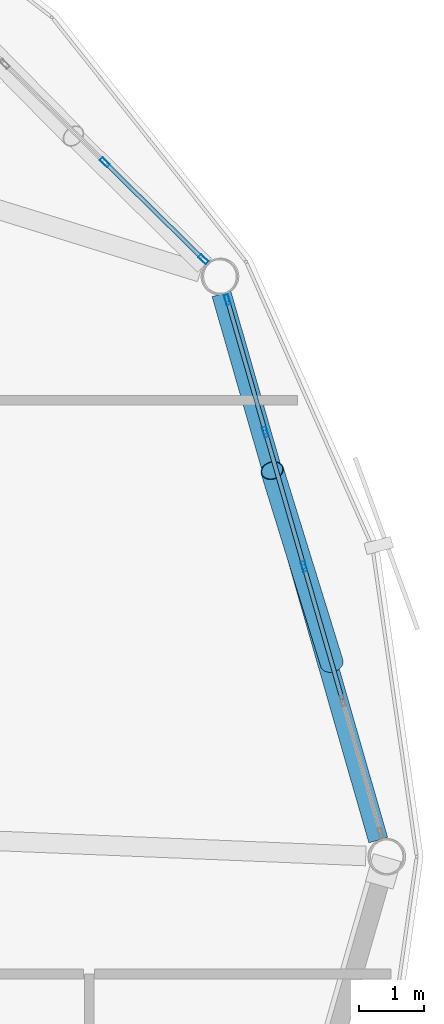
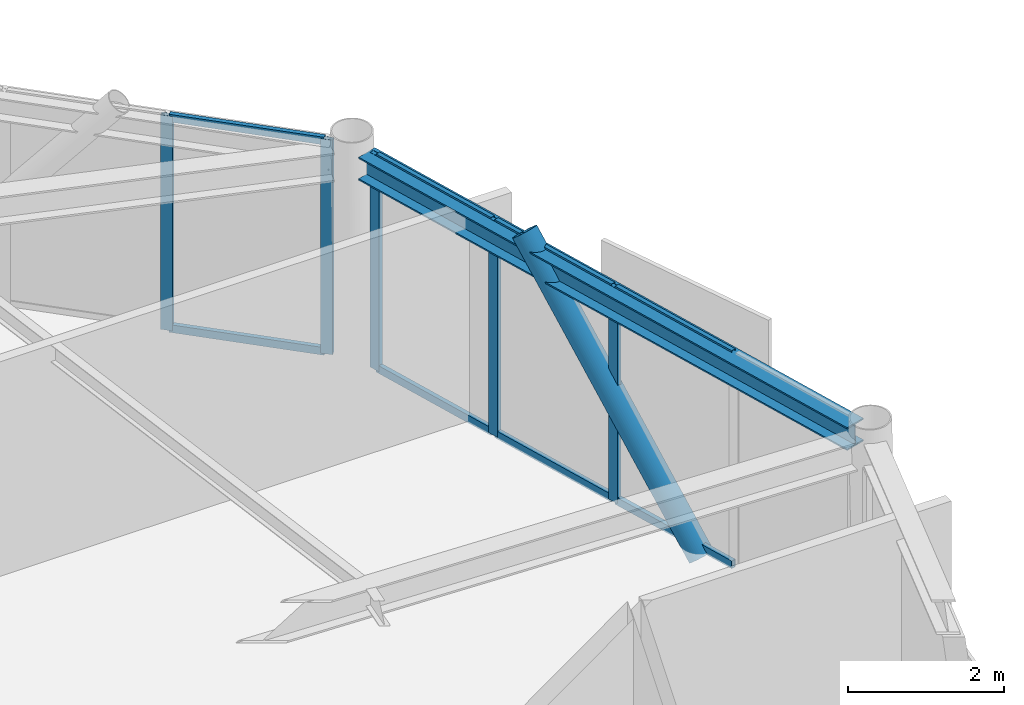
# One storey, part 17 of 27: 14 members, 1 beam, 2 elements without a shape of their own.
"""IFC4 building model written with IfcOpenShell, lengths in metres."""

from ifc_helpers import new_model, si_unit, direction, frame, origin, origin_2d, place, context, subcontext, project, spatial, hollow_rectangle, hollow_circle, i_section, extrude, material, layer, layer_set, material_profile, profile_set, type_object, element, aggregate, save


model = new_model("IFC4")

# Units and contexts
model_context = context("Model", 3, precision=1e-05, world=origin(), true_north=direction((0.0, 1.0)))
body_context = subcontext(model_context, "Body", "Model", "MODEL_VIEW")
ifc_project = project(units=[si_unit("LENGTHUNIT", "METRE"), si_unit("AREAUNIT", "SQUARE_METRE"), si_unit("VOLUMEUNIT", "CUBIC_METRE"), si_unit("PLANEANGLEUNIT", "RADIAN"), si_unit("MASSUNIT", "GRAM", prefix="KILO")], contexts=[model_context])

# Site, building, storey
site_placement = place(None, origin())
site = spatial("IfcSite", under=ifc_project, at=site_placement, CompositionType="ELEMENT")
building_placement = place(site_placement, origin())
building = spatial("IfcBuilding", under=site, at=building_placement, Name="Varnakorn Sky Granary", CompositionType="ELEMENT")
storey_placement = place(building_placement, frame((0.0, 0.0, 263.39990234375)))
storey = spatial("IfcBuildingStorey", under=building, at=storey_placement, Name="L67", CompositionType="ELEMENT", Elevation=263.39990234375)

# Beam
ifc_material_1 = material(Name="Steel S355JR", Category="steel")
ifc_material_profile_1 = material_profile(ifc_material_1, i_section(OverallWidth=0.300048828125, OverallDepth=0.360107421875, WebThickness=0.012451171875, FlangeThickness=0.0224609375, at=origin_2d()), Name="HE 360 B")
ifc_profile_set_1 = profile_set([ifc_material_profile_1], Name="Steel S355JR")
beam_type = type_object("IfcBeamType", Name="BM-SPD-Z5", PredefinedType="SPANDREL", material=ifc_profile_set_1)
beam_placement = place(storey_placement, frame((22.93310546875, 0.254150390625, 3.18017578125), z_axis=(-0.275834781425, 0.961205063114, 0.0), x_axis=(-0.961205063114, -0.275834781425, 0.0)))
element("IfcBeam", 1, at=beam_placement, inside=storey, type_object=beam_type, Name="Perimeter Spandrel Ring Beam RB01 L67", PredefinedType="SPANDREL", context=body_context, shape_type="SweptSolid", body=[
    extrude(i_section(OverallWidth=0.300048828125, OverallDepth=0.360107421875, WebThickness=0.012451171875, FlangeThickness=0.0224609375, at=origin_2d()), origin(), (0.0, 0.0, 1.0), 8.7138671875),
])

# Curtain wall, members
ifc_material_2 = material(Name="Anodised Bronze Aluminium Alloy 6063-T6", Category="aluminium")
ifc_layer = layer(ifc_material_2, 0.159912109375, Name="Anodised Bronze Aluminium Alloy 6063-T6")
ifc_layer_set = layer_set([ifc_layer], Name="Anodised Bronze Aluminium Alloy 6063-T6")
curtain_wall_type = type_object("IfcCurtainWallType", Name="CW-OFF-1", PredefinedType="USERDEFINED", material=ifc_layer_set)
curtain_wall_1_placement = place(storey_placement, origin())
curtain_wall_1 = element("IfcCurtainWall", 2, at=curtain_wall_1_placement, inside=storey, type_object=curtain_wall_type, Name="Unitised Curtain Wall CW6 CW-L67-B01", ObjectType="CURTAIN WALL", PredefinedType="USERDEFINED")
ifc_material_profile_2 = material_profile(ifc_material_2, hollow_rectangle(XDim=0.06494140625, YDim=0.159912109375, WallThickness=0.00341796875, at=origin_2d()), Name="ALU MULL 65x160")
ifc_profile_set_2 = profile_set([ifc_material_profile_2], Name="Anodised Bronze Aluminium Alloy 6063-T6")
member_type_1 = type_object("IfcMemberType", Name="CW-OFF-1-MULL", PredefinedType="MULLION", material=ifc_profile_set_2)
member_1_placement = place(storey_placement, frame((20.6181640625, 8.54345703125, 0.0), z_axis=(0.0, 0.0, 1.0), x_axis=(0.961085237133, 0.276251999026, 0.0)))
member_1 = element("IfcMember", 3, at=member_1_placement, type_object=member_type_1, Name="CW6 mullion 1", PredefinedType="MULLION", context=body_context, shape_type="SweptSolid", body=[
    extrude(hollow_rectangle(XDim=0.06494140625, YDim=0.159912109375, WallThickness=0.00341796875, at=origin_2d()), origin(), (0.0, 0.0, 1.0), 3.360107421875),
])
member_2_placement = place(storey_placement, frame((21.201904296875, 6.5126953125, 0.0), z_axis=(0.0, 0.0, 1.0), x_axis=(0.961085237133, 0.276251999026, 0.0)))
member_2 = element("IfcMember", 4, at=member_2_placement, type_object=member_type_1, Name="CW6 mullion 2", PredefinedType="MULLION", context=body_context, shape_type="SweptSolid", body=[
    extrude(hollow_rectangle(XDim=0.06494140625, YDim=0.159912109375, WallThickness=0.00341796875, at=origin_2d()), origin(), (0.0, 0.0, 1.0), 3.360107421875),
])
member_3_placement = place(storey_placement, frame((21.794677734375, 4.450439453125, 0.0), z_axis=(0.0, 0.0, 1.0), x_axis=(0.961085237133, 0.276251999026, 0.0)))
member_3 = element("IfcMember", 5, at=member_3_placement, type_object=member_type_1, Name="CW6 mullion 3", PredefinedType="MULLION", context=body_context, shape_type="SweptSolid", body=[
    extrude(hollow_rectangle(XDim=0.06494140625, YDim=0.159912109375, WallThickness=0.00341796875, at=origin_2d()), origin(), (0.0, 0.0, 1.0), 3.360107421875),
])

curtain_wall_2_placement = place(storey_placement, origin())
curtain_wall_2 = element("IfcCurtainWall", 6, at=curtain_wall_2_placement, inside=storey, type_object=curtain_wall_type, Name="Unitised Curtain Wall CW6 CW-L67-B02", ObjectType="CURTAIN WALL", PredefinedType="USERDEFINED")
member_4_placement = place(storey_placement, frame((18.7392578125, 10.649169921875, 0.0), z_axis=(0.0, 0.0, 1.0), x_axis=(0.701440030116, 0.71272847856, 0.0)))
member_4 = element("IfcMember", 7, at=member_4_placement, type_object=member_type_1, Name="CW6 mullion 4", PredefinedType="MULLION", context=body_context, shape_type="SweptSolid", body=[
    extrude(hollow_rectangle(XDim=0.06494140625, YDim=0.159912109375, WallThickness=0.00341796875, at=origin_2d()), origin(), (0.0, 0.0, 1.0), 3.360107421875),
])
member_5_placement = place(storey_placement, frame((20.250244140625, 9.161865234375, 0.0), z_axis=(0.0, 0.0, 1.0), x_axis=(0.701440030116, 0.71272847856, 0.0)))
member_5 = element("IfcMember", 8, at=member_5_placement, type_object=member_type_1, Name="CW6 mullion 5", PredefinedType="MULLION", context=body_context, shape_type="SweptSolid", body=[
    extrude(hollow_rectangle(XDim=0.06494140625, YDim=0.159912109375, WallThickness=0.00341796875, at=origin_2d()), origin(), (0.0, 0.0, 1.0), 3.360107421875),
])

# Member
ifc_material_profile_3 = material_profile(ifc_material_2, hollow_rectangle(XDim=0.06494140625, YDim=0.1201171875, WallThickness=0.00341796875, at=origin_2d()), Name="ALU TRAN 65x120")
ifc_profile_set_3 = profile_set([ifc_material_profile_3], Name="Anodised Bronze Aluminium Alloy 6063-T6")
member_type_2 = type_object("IfcMemberType", Name="CW-OFF-1-TRAN", PredefinedType="USERDEFINED", material=ifc_profile_set_3)
member_6_placement = place(storey_placement, frame((20.627197265625, 8.51220703125, 0.03271484375), z_axis=(0.276326693722, -0.961063763929, 0.0), x_axis=(0.961063763929, 0.276326693722, 0.0)))
member_6 = element("IfcMember", 9, at=member_6_placement, type_object=member_type_2, Name="CW6 transom 1.1", ObjectType="TRANSOM", PredefinedType="USERDEFINED", context=body_context, shape_type="SweptSolid", body=[
    extrude(hollow_rectangle(XDim=0.06494140625, YDim=0.1201171875, WallThickness=0.00341796875, at=origin_2d()), origin(), (0.0, 0.0, 1.0), 2.048095703125),
])

member_7_placement = place(storey_placement, frame((20.627197265625, 8.51220703125, 3.32763671875), z_axis=(0.276326693722, -0.961063763929, 0.0), x_axis=(0.961063763929, 0.276326693722, 0.0)))
member_7 = element("IfcMember", 10, at=member_7_placement, type_object=member_type_2, Name="CW6 transom 1.2", ObjectType="TRANSOM", PredefinedType="USERDEFINED", context=body_context, shape_type="SweptSolid", body=[
    extrude(hollow_rectangle(XDim=0.06494140625, YDim=0.1201171875, WallThickness=0.00341796875, at=origin_2d()), origin(), (0.0, 0.0, 1.0), 2.048095703125),
])

member_8_placement = place(storey_placement, frame((21.2109375, 6.4814453125, 0.03271484375), z_axis=(0.27631690761, -0.961066577594, 0.0), x_axis=(0.961066577594, 0.27631690761, 0.0)))
member_8 = element("IfcMember", 11, at=member_8_placement, type_object=member_type_2, Name="CW6 transom 2.1", ObjectType="TRANSOM", PredefinedType="USERDEFINED", context=body_context, shape_type="SweptSolid", body=[
    extrude(hollow_rectangle(XDim=0.06494140625, YDim=0.1201171875, WallThickness=0.00341796875, at=origin_2d()), origin(), (0.0, 0.0, 1.0), 2.080810546875),
])

member_9_placement = place(storey_placement, frame((21.2109375, 6.4814453125, 3.32763671875), z_axis=(0.27631690761, -0.961066577594, 0.0), x_axis=(0.961066577594, 0.27631690761, 0.0)))
member_9 = element("IfcMember", 12, at=member_9_placement, type_object=member_type_2, Name="CW6 transom 2.2", ObjectType="TRANSOM", PredefinedType="USERDEFINED", context=body_context, shape_type="SweptSolid", body=[
    extrude(hollow_rectangle(XDim=0.06494140625, YDim=0.1201171875, WallThickness=0.00341796875, at=origin_2d()), origin(), (0.0, 0.0, 1.0), 2.080810546875),
])

member_10_placement = place(storey_placement, frame((21.8037109375, 4.419189453125, 0.03271484375), z_axis=(0.276239680474, -0.961088777862, 0.0), x_axis=(0.961088777862, 0.276239680474, 0.0)))
member_10 = element("IfcMember", 13, at=member_10_placement, type_object=member_type_2, Name="CW6 transom 3.1", ObjectType="TRANSOM", PredefinedType="USERDEFINED", context=body_context, shape_type="SweptSolid", body=[
    extrude(hollow_rectangle(XDim=0.06494140625, YDim=0.1201171875, WallThickness=0.00341796875, at=origin_2d()), origin(), (0.0, 0.0, 1.0), 2.08056640625),
])

member_11_placement = place(storey_placement, frame((21.8037109375, 4.419189453125, 3.32763671875), z_axis=(0.276239680474, -0.961088777862, 0.0), x_axis=(0.961088777862, 0.276239680474, 0.0)))
member_11 = element("IfcMember", 14, at=member_11_placement, type_object=member_type_2, Name="CW6 transom 3.2", ObjectType="TRANSOM", PredefinedType="USERDEFINED", context=body_context, shape_type="SweptSolid", body=[
    extrude(hollow_rectangle(XDim=0.06494140625, YDim=0.1201171875, WallThickness=0.00341796875, at=origin_2d()), origin(), (0.0, 0.0, 1.0), 2.08056640625),
])

aggregate(curtain_wall_1, [member_1, member_2, member_3, member_6, member_7, member_8, member_9, member_10, member_11])

member_12_placement = place(storey_placement, frame((18.762451171875, 10.626220703125, 0.03271484375), z_axis=(0.712727628798, -0.701440893553, 0.0), x_axis=(0.701440893553, 0.712727628798, 0.0)))
member_12 = element("IfcMember", 15, at=member_12_placement, type_object=member_type_2, Name="CW6 transom 4.1", ObjectType="TRANSOM", PredefinedType="USERDEFINED", context=body_context, shape_type="SweptSolid", body=[
    extrude(hollow_rectangle(XDim=0.06494140625, YDim=0.1201171875, WallThickness=0.00341796875, at=origin_2d()), origin(), (0.0, 0.0, 1.0), 2.054931640625),
])

member_13_placement = place(storey_placement, frame((18.762451171875, 10.626220703125, 3.32763671875), z_axis=(0.712727628798, -0.701440893553, 0.0), x_axis=(0.701440893553, 0.712727628798, 0.0)))
member_13 = element("IfcMember", 16, at=member_13_placement, type_object=member_type_2, Name="CW6 transom 4.2", ObjectType="TRANSOM", PredefinedType="USERDEFINED", context=body_context, shape_type="SweptSolid", body=[
    extrude(hollow_rectangle(XDim=0.06494140625, YDim=0.1201171875, WallThickness=0.00341796875, at=origin_2d()), origin(), (0.0, 0.0, 1.0), 2.054931640625),
])

aggregate(curtain_wall_2, [member_4, member_5, member_12, member_13])

ifc_material_3 = material(Name="Steel S460M", Category="steel")
ifc_material_profile_4 = material_profile(ifc_material_3, hollow_circle(Radius=0.177734375, WallThickness=0.01416015625, at=origin_2d()), Name="CHS 355.6x14")
ifc_profile_set_4 = profile_set([ifc_material_profile_4], Name="Steel S460M")
member_type_3 = type_object("IfcMemberType", Name="MB-DIAG-T5", PredefinedType="BRACE", material=ifc_profile_set_4)
member_14_placement = place(storey_placement, frame((22.22119140625, 2.967041015625, -0.1298828125), z_axis=(-0.192107075732, 0.62066940454, 0.760173902289), x_axis=(-0.955288013448, -0.295676869849, 0.0)))
element("IfcMember", 17, at=member_14_placement, inside=storey, type_object=member_type_3, Name="Perimeter CHS Diagrid Brace DG01 L67", PredefinedType="BRACE", context=body_context, shape_type="SweptSolid", body=[
    extrude(hollow_circle(Radius=0.177734375, WallThickness=0.01416015625, at=origin_2d()), origin(), (0.0, 0.0, 1.0), 4.761962890625),
])

save(model, "model.ifc")
